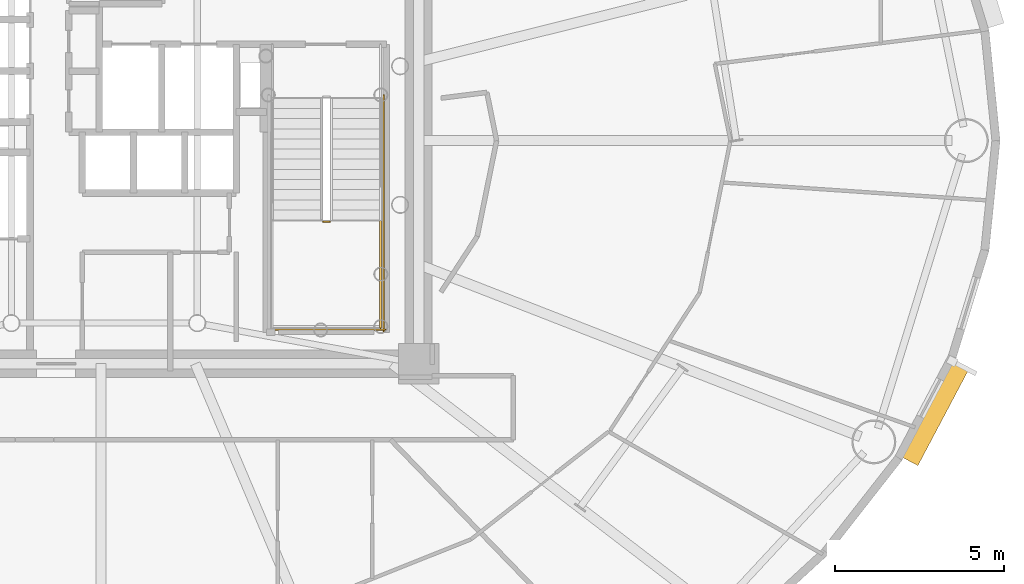
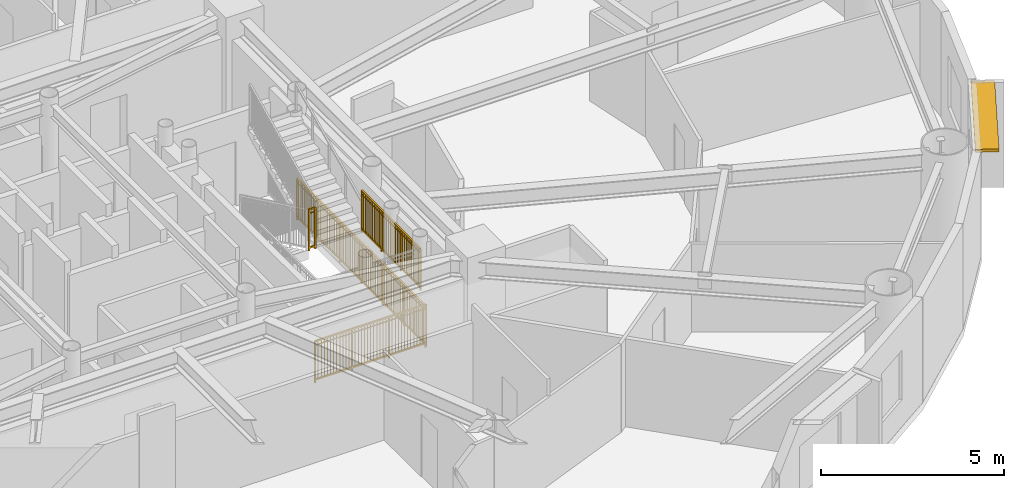
# One storey, part 18 of 19: 4 railings, 1 shading device.
"""IFC4 building model written with IfcOpenShell, lengths in metres."""

from ifc_helpers import new_model, si_unit, direction, frame, origin, origin_2d, place, context, subcontext, project, spatial, rectangle, extrude, source, transform, mapped, material, layer, layer_set, type_object, element, save


model = new_model("IFC4")

# Units and contexts
model_context = context("Model", 3, precision=1e-05, world=origin(), true_north=direction((0.0, 1.0)))
body_context = subcontext(model_context, "Body", "Model", "MODEL_VIEW")
ifc_project = project(units=[si_unit("LENGTHUNIT", "METRE"), si_unit("AREAUNIT", "SQUARE_METRE"), si_unit("VOLUMEUNIT", "CUBIC_METRE"), si_unit("PLANEANGLEUNIT", "RADIAN"), si_unit("MASSUNIT", "GRAM", prefix="KILO")], contexts=[model_context])

# Site, building, storey
site_placement = place(None, origin())
site = spatial("IfcSite", under=ifc_project, at=site_placement, CompositionType="ELEMENT")
building_placement = place(site_placement, origin())
building = spatial("IfcBuilding", under=site, at=building_placement, Name="Linh Dai School and Residence Tower", CompositionType="ELEMENT")
storey_placement = place(building_placement, frame((0.0, 0.0, 193.64990234375)))
storey = spatial("IfcBuildingStorey", under=building, at=storey_placement, Name="L47", CompositionType="ELEMENT", Elevation=193.64990234375)

# Shading device
ifc_material_1 = material(Name="Terracotta Ceramic Sunshade", Category="masonry")
ifc_layer = layer(ifc_material_1, 0.10009765625)
ifc_layer_set = layer_set([ifc_layer], Name="Terracotta Ceramic Sunshade")
shading_device_type = type_object("IfcShadingDeviceType", Name="SHD-TC-650", PredefinedType="USERDEFINED", material=ifc_layer_set)
shared_shape_1 = source(origin(), body_context, "Body", "SweptSolid", [
    extrude(rectangle(XDim=3.257568359375, YDim=0.64990234375, at=origin_2d()), origin(), (0.0, 0.0, 1.0), 0.10009765625),
])
shading_device_placement = place(storey_placement, frame((60.641357421875, 18.97802734375, 3.380126953125), z_axis=(0.0, 0.0, 1.0), x_axis=(-0.467580060884, -0.883950726378, 0.0)))
element("IfcShadingDevice", 1, at=shading_device_placement, inside=storey, type_object=shading_device_type, Name="L47 Terracotta Horizontal Sunshade Band 38", ObjectType="SUNSHADE", PredefinedType="USERDEFINED", context=body_context, shape_type="MappedRepresentation", body=[
    mapped(shared_shape_1, transform((0.0, 0.0, 0.0), x_axis=(1.0, 0.0, 0.0), y_axis=(0.0, 1.0, 0.0), z_axis=(0.0, 0.0, 1.0), scale=1.0)),
])

# Railings
ifc_material_2 = material(Name="Structural Steel S355JR", Category="steel")
railing_type = type_object("IfcRailingType", Name="RL-ST-GUARD-1400", PredefinedType="GUARDRAIL", material=ifc_material_2)
shared_shape_2 = source(origin(), body_context, "Body", "SweptSolid", [
    extrude(rectangle(XDim=0.048095703125, YDim=0.048095703125, at=origin_2d()), frame((0.0, 0.0, 1.3759765625), z_axis=(1.0, 0.0, 0.0), x_axis=(0.0, 1.0, 0.0)), (0.0, 0.0, 1.0), 0.199951171875),
    extrude(rectangle(XDim=0.048095703125, YDim=0.048095703125, at=origin_2d()), frame((0.0, 0.0, 0.10009765625), z_axis=(1.0, 0.0, 0.0), x_axis=(0.0, 1.0, 0.0)), (0.0, 0.0, 1.0), 0.199951171875),
    extrude(rectangle(XDim=0.030029296875, YDim=0.030029296875, at=origin_2d()), frame((0.0, 0.0, 1.239990234375), z_axis=(1.0, 0.0, 0.0), x_axis=(0.0, 1.0, 0.0)), (0.0, 0.0, 1.0), 0.199951171875),
    extrude(rectangle(XDim=0.0419921875, YDim=0.0419921875, at=origin_2d()), origin(), (0.0, 0.0, 1.0), 1.3759765625),
    extrude(rectangle(XDim=0.0419921875, YDim=0.0419921875, at=origin_2d()), frame((0.199951171875, 0.0, 0.0)), (0.0, 0.0, 1.0), 1.3759765625),
])
railing_1_placement = place(storey_placement, frame((42.570068359375, 24.60009765625, 1.875)))
element("IfcRailing", 2, at=railing_1_placement, inside=storey, type_object=railing_type, Name="L47 ST2 stair guard 2", PredefinedType="GUARDRAIL", context=body_context, shape_type="MappedRepresentation", body=[
    mapped(shared_shape_2, transform((0.0, 0.0, 0.0), x_axis=(1.0, 0.0, 0.0), y_axis=(0.0, 1.0, 0.0), z_axis=(0.0, 0.0, 1.0), scale=1.0)),
])
shared_shape_3 = source(origin(), body_context, "Body", "SweptSolid", [
    extrude(rectangle(XDim=0.048095703125, YDim=0.048095703125, at=origin_2d()), frame((0.0, 0.0, 1.3759765625), z_axis=(0.0, -1.0, 0.0), x_axis=(1.0, 0.0, 0.0)), (0.0, 0.0, 1.0), 7.0),
    extrude(rectangle(XDim=0.048095703125, YDim=0.048095703125, at=origin_2d()), frame((0.0, 0.0, 0.10009765625), z_axis=(0.0, -1.0, 0.0), x_axis=(1.0, 0.0, 0.0)), (0.0, 0.0, 1.0), 7.0),
    extrude(rectangle(XDim=0.030029296875, YDim=0.030029296875, at=origin_2d()), frame((0.0, 0.0, 1.239990234375), z_axis=(0.0, -1.0, 0.0), x_axis=(1.0, 0.0, 0.0)), (0.0, 0.0, 1.0), 7.0),
    extrude(rectangle(XDim=0.02001953125, YDim=0.02001953125, at=origin_2d()), frame((0.0, -0.09716796875, 0.10009765625)), (0.0, 0.0, 1.0), 1.251708984375),
    extrude(rectangle(XDim=0.02001953125, YDim=0.02001953125, at=origin_2d()), frame((0.0, -0.1943359375, 0.10009765625)), (0.0, 0.0, 1.0), 1.251708984375),
    extrude(rectangle(XDim=0.02001953125, YDim=0.02001953125, at=origin_2d()), frame((0.0, -0.291748046875, 0.10009765625)), (0.0, 0.0, 1.0), 1.251708984375),
    extrude(rectangle(XDim=0.02001953125, YDim=0.02001953125, at=origin_2d()), frame((0.0, -0.388916015625, 0.10009765625)), (0.0, 0.0, 1.0), 1.251708984375),
    extrude(rectangle(XDim=0.02001953125, YDim=0.02001953125, at=origin_2d()), frame((0.0, -0.486083984375, 0.10009765625)), (0.0, 0.0, 1.0), 1.251708984375),
    extrude(rectangle(XDim=0.02001953125, YDim=0.02001953125, at=origin_2d()), frame((0.0, -0.583251953125, 0.10009765625)), (0.0, 0.0, 1.0), 1.251708984375),
    extrude(rectangle(XDim=0.02001953125, YDim=0.02001953125, at=origin_2d()), frame((0.0, -0.6806640625, 0.10009765625)), (0.0, 0.0, 1.0), 1.251708984375),
    extrude(rectangle(XDim=0.02001953125, YDim=0.02001953125, at=origin_2d()), frame((0.0, -0.77783203125, 0.10009765625)), (0.0, 0.0, 1.0), 1.251708984375),
    extrude(rectangle(XDim=0.02001953125, YDim=0.02001953125, at=origin_2d()), frame((0.0, -0.875, 0.10009765625)), (0.0, 0.0, 1.0), 1.251708984375),
    extrude(rectangle(XDim=0.02001953125, YDim=0.02001953125, at=origin_2d()), frame((0.0, -0.97216796875, 0.10009765625)), (0.0, 0.0, 1.0), 1.251708984375),
    extrude(rectangle(XDim=0.02001953125, YDim=0.02001953125, at=origin_2d()), frame((0.0, -1.0693359375, 0.10009765625)), (0.0, 0.0, 1.0), 1.251708984375),
    extrude(rectangle(XDim=0.02001953125, YDim=0.02001953125, at=origin_2d()), frame((0.0, -1.263916015625, 0.10009765625)), (0.0, 0.0, 1.0), 1.251708984375),
    extrude(rectangle(XDim=0.02001953125, YDim=0.02001953125, at=origin_2d()), frame((0.0, -1.361083984375, 0.10009765625)), (0.0, 0.0, 1.0), 1.251708984375),
    extrude(rectangle(XDim=0.02001953125, YDim=0.02001953125, at=origin_2d()), frame((0.0, -1.458251953125, 0.10009765625)), (0.0, 0.0, 1.0), 1.251708984375),
    extrude(rectangle(XDim=0.02001953125, YDim=0.02001953125, at=origin_2d()), frame((0.0, -1.5556640625, 0.10009765625)), (0.0, 0.0, 1.0), 1.251708984375),
    extrude(rectangle(XDim=0.02001953125, YDim=0.02001953125, at=origin_2d()), frame((0.0, -1.65283203125, 0.10009765625)), (0.0, 0.0, 1.0), 1.251708984375),
    extrude(rectangle(XDim=0.02001953125, YDim=0.02001953125, at=origin_2d()), frame((0.0, -1.75, 0.10009765625)), (0.0, 0.0, 1.0), 1.251708984375),
    extrude(rectangle(XDim=0.02001953125, YDim=0.02001953125, at=origin_2d()), frame((0.0, -1.84716796875, 0.10009765625)), (0.0, 0.0, 1.0), 1.251708984375),
    extrude(rectangle(XDim=0.02001953125, YDim=0.02001953125, at=origin_2d()), frame((0.0, -1.9443359375, 0.10009765625)), (0.0, 0.0, 1.0), 1.251708984375),
    extrude(rectangle(XDim=0.02001953125, YDim=0.02001953125, at=origin_2d()), frame((0.0, -2.041748046875, 0.10009765625)), (0.0, 0.0, 1.0), 1.251708984375),
    extrude(rectangle(XDim=0.02001953125, YDim=0.02001953125, at=origin_2d()), frame((0.0, -2.138916015625, 0.10009765625)), (0.0, 0.0, 1.0), 1.251708984375),
    extrude(rectangle(XDim=0.02001953125, YDim=0.02001953125, at=origin_2d()), frame((0.0, -2.236083984375, 0.10009765625)), (0.0, 0.0, 1.0), 1.251708984375),
    extrude(rectangle(XDim=0.02001953125, YDim=0.02001953125, at=origin_2d()), frame((0.0, -2.4306640625, 0.10009765625)), (0.0, 0.0, 1.0), 1.251708984375),
    extrude(rectangle(XDim=0.02001953125, YDim=0.02001953125, at=origin_2d()), frame((0.0, -2.52783203125, 0.10009765625)), (0.0, 0.0, 1.0), 1.251708984375),
    extrude(rectangle(XDim=0.02001953125, YDim=0.02001953125, at=origin_2d()), frame((0.0, -2.625, 0.10009765625)), (0.0, 0.0, 1.0), 1.251708984375),
    extrude(rectangle(XDim=0.02001953125, YDim=0.02001953125, at=origin_2d()), frame((0.0, -2.72216796875, 0.10009765625)), (0.0, 0.0, 1.0), 1.251708984375),
    extrude(rectangle(XDim=0.02001953125, YDim=0.02001953125, at=origin_2d()), frame((0.0, -2.8193359375, 0.10009765625)), (0.0, 0.0, 1.0), 1.251708984375),
    extrude(rectangle(XDim=0.02001953125, YDim=0.02001953125, at=origin_2d()), frame((0.0, -2.916748046875, 0.10009765625)), (0.0, 0.0, 1.0), 1.251708984375),
    extrude(rectangle(XDim=0.02001953125, YDim=0.02001953125, at=origin_2d()), frame((0.0, -3.013916015625, 0.10009765625)), (0.0, 0.0, 1.0), 1.251708984375),
    extrude(rectangle(XDim=0.02001953125, YDim=0.02001953125, at=origin_2d()), frame((0.0, -3.111083984375, 0.10009765625)), (0.0, 0.0, 1.0), 1.251708984375),
    extrude(rectangle(XDim=0.02001953125, YDim=0.02001953125, at=origin_2d()), frame((0.0, -3.208251953125, 0.10009765625)), (0.0, 0.0, 1.0), 1.251708984375),
    extrude(rectangle(XDim=0.02001953125, YDim=0.02001953125, at=origin_2d()), frame((0.0, -3.3056640625, 0.10009765625)), (0.0, 0.0, 1.0), 1.251708984375),
    extrude(rectangle(XDim=0.02001953125, YDim=0.02001953125, at=origin_2d()), frame((0.0, -3.40283203125, 0.10009765625)), (0.0, 0.0, 1.0), 1.251708984375),
    extrude(rectangle(XDim=0.02001953125, YDim=0.02001953125, at=origin_2d()), frame((0.0, -3.59716796875, 0.10009765625)), (0.0, 0.0, 1.0), 1.251708984375),
    extrude(rectangle(XDim=0.02001953125, YDim=0.02001953125, at=origin_2d()), frame((0.0, -3.6943359375, 0.10009765625)), (0.0, 0.0, 1.0), 1.251708984375),
    extrude(rectangle(XDim=0.02001953125, YDim=0.02001953125, at=origin_2d()), frame((0.0, -3.791748046875, 0.10009765625)), (0.0, 0.0, 1.0), 1.251708984375),
    extrude(rectangle(XDim=0.02001953125, YDim=0.02001953125, at=origin_2d()), frame((0.0, -3.888916015625, 0.10009765625)), (0.0, 0.0, 1.0), 1.251708984375),
    extrude(rectangle(XDim=0.02001953125, YDim=0.02001953125, at=origin_2d()), frame((0.0, -3.986083984375, 0.10009765625)), (0.0, 0.0, 1.0), 1.251708984375),
    extrude(rectangle(XDim=0.02001953125, YDim=0.02001953125, at=origin_2d()), frame((0.0, -4.083251953125, 0.10009765625)), (0.0, 0.0, 1.0), 1.251708984375),
    extrude(rectangle(XDim=0.02001953125, YDim=0.02001953125, at=origin_2d()), frame((0.0, -4.1806640625, 0.10009765625)), (0.0, 0.0, 1.0), 1.251708984375),
    extrude(rectangle(XDim=0.02001953125, YDim=0.02001953125, at=origin_2d()), frame((0.0, -4.27783203125, 0.10009765625)), (0.0, 0.0, 1.0), 1.251708984375),
    extrude(rectangle(XDim=0.02001953125, YDim=0.02001953125, at=origin_2d()), frame((0.0, -4.375, 0.10009765625)), (0.0, 0.0, 1.0), 1.251708984375),
    extrude(rectangle(XDim=0.02001953125, YDim=0.02001953125, at=origin_2d()), frame((0.0, -4.47216796875, 0.10009765625)), (0.0, 0.0, 1.0), 1.251708984375),
    extrude(rectangle(XDim=0.02001953125, YDim=0.02001953125, at=origin_2d()), frame((0.0, -4.5693359375, 0.10009765625)), (0.0, 0.0, 1.0), 1.251708984375),
    extrude(rectangle(XDim=0.02001953125, YDim=0.02001953125, at=origin_2d()), frame((0.0, -4.763916015625, 0.10009765625)), (0.0, 0.0, 1.0), 1.251708984375),
    extrude(rectangle(XDim=0.02001953125, YDim=0.02001953125, at=origin_2d()), frame((0.0, -4.861083984375, 0.10009765625)), (0.0, 0.0, 1.0), 1.251708984375),
    extrude(rectangle(XDim=0.02001953125, YDim=0.02001953125, at=origin_2d()), frame((0.0, -4.958251953125, 0.10009765625)), (0.0, 0.0, 1.0), 1.251708984375),
    extrude(rectangle(XDim=0.02001953125, YDim=0.02001953125, at=origin_2d()), frame((0.0, -5.0556640625, 0.10009765625)), (0.0, 0.0, 1.0), 1.251708984375),
    extrude(rectangle(XDim=0.02001953125, YDim=0.02001953125, at=origin_2d()), frame((0.0, -5.15283203125, 0.10009765625)), (0.0, 0.0, 1.0), 1.251708984375),
    extrude(rectangle(XDim=0.02001953125, YDim=0.02001953125, at=origin_2d()), frame((0.0, -5.25, 0.10009765625)), (0.0, 0.0, 1.0), 1.251708984375),
    extrude(rectangle(XDim=0.02001953125, YDim=0.02001953125, at=origin_2d()), frame((0.0, -5.34716796875, 0.10009765625)), (0.0, 0.0, 1.0), 1.251708984375),
    extrude(rectangle(XDim=0.02001953125, YDim=0.02001953125, at=origin_2d()), frame((0.0, -5.4443359375, 0.10009765625)), (0.0, 0.0, 1.0), 1.251708984375),
    extrude(rectangle(XDim=0.02001953125, YDim=0.02001953125, at=origin_2d()), frame((0.0, -5.541748046875, 0.10009765625)), (0.0, 0.0, 1.0), 1.251708984375),
    extrude(rectangle(XDim=0.02001953125, YDim=0.02001953125, at=origin_2d()), frame((0.0, -5.638916015625, 0.10009765625)), (0.0, 0.0, 1.0), 1.251708984375),
    extrude(rectangle(XDim=0.02001953125, YDim=0.02001953125, at=origin_2d()), frame((0.0, -5.736083984375, 0.10009765625)), (0.0, 0.0, 1.0), 1.251708984375),
    extrude(rectangle(XDim=0.02001953125, YDim=0.02001953125, at=origin_2d()), frame((0.0, -5.9306640625, 0.10009765625)), (0.0, 0.0, 1.0), 1.251708984375),
    extrude(rectangle(XDim=0.02001953125, YDim=0.02001953125, at=origin_2d()), frame((0.0, -6.02783203125, 0.10009765625)), (0.0, 0.0, 1.0), 1.251708984375),
    extrude(rectangle(XDim=0.02001953125, YDim=0.02001953125, at=origin_2d()), frame((0.0, -6.125, 0.10009765625)), (0.0, 0.0, 1.0), 1.251708984375),
    extrude(rectangle(XDim=0.02001953125, YDim=0.02001953125, at=origin_2d()), frame((0.0, -6.22216796875, 0.10009765625)), (0.0, 0.0, 1.0), 1.251708984375),
    extrude(rectangle(XDim=0.02001953125, YDim=0.02001953125, at=origin_2d()), frame((0.0, -6.3193359375, 0.10009765625)), (0.0, 0.0, 1.0), 1.251708984375),
    extrude(rectangle(XDim=0.02001953125, YDim=0.02001953125, at=origin_2d()), frame((0.0, -6.416748046875, 0.10009765625)), (0.0, 0.0, 1.0), 1.251708984375),
    extrude(rectangle(XDim=0.02001953125, YDim=0.02001953125, at=origin_2d()), frame((0.0, -6.513916015625, 0.10009765625)), (0.0, 0.0, 1.0), 1.251708984375),
    extrude(rectangle(XDim=0.02001953125, YDim=0.02001953125, at=origin_2d()), frame((0.0, -6.611083984375, 0.10009765625)), (0.0, 0.0, 1.0), 1.251708984375),
    extrude(rectangle(XDim=0.02001953125, YDim=0.02001953125, at=origin_2d()), frame((0.0, -6.708251953125, 0.10009765625)), (0.0, 0.0, 1.0), 1.251708984375),
    extrude(rectangle(XDim=0.02001953125, YDim=0.02001953125, at=origin_2d()), frame((0.0, -6.8056640625, 0.10009765625)), (0.0, 0.0, 1.0), 1.251708984375),
    extrude(rectangle(XDim=0.02001953125, YDim=0.02001953125, at=origin_2d()), frame((0.0, -6.90283203125, 0.10009765625)), (0.0, 0.0, 1.0), 1.251708984375),
    extrude(rectangle(XDim=0.0419921875, YDim=0.0419921875, at=origin_2d()), origin(), (0.0, 0.0, 1.0), 1.3759765625),
    extrude(rectangle(XDim=0.0419921875, YDim=0.0419921875, at=origin_2d()), frame((0.0, -1.166748046875, 0.0)), (0.0, 0.0, 1.0), 1.3759765625),
    extrude(rectangle(XDim=0.0419921875, YDim=0.0419921875, at=origin_2d()), frame((0.0, -2.333251953125, 0.0)), (0.0, 0.0, 1.0), 1.3759765625),
    extrude(rectangle(XDim=0.0419921875, YDim=0.0419921875, at=origin_2d()), frame((0.0, -3.5, 0.0)), (0.0, 0.0, 1.0), 1.3759765625),
    extrude(rectangle(XDim=0.0419921875, YDim=0.0419921875, at=origin_2d()), frame((0.0, -4.666748046875, 0.0)), (0.0, 0.0, 1.0), 1.3759765625),
    extrude(rectangle(XDim=0.0419921875, YDim=0.0419921875, at=origin_2d()), frame((0.0, -5.833251953125, 0.0)), (0.0, 0.0, 1.0), 1.3759765625),
    extrude(rectangle(XDim=0.0419921875, YDim=0.0419921875, at=origin_2d()), frame((0.0, -7.0, 0.0)), (0.0, 0.0, 1.0), 1.3759765625),
])
railing_2_placement = place(storey_placement, frame((44.3701171875, 28.35009765625, 0.0)))
element("IfcRailing", 3, at=railing_2_placement, inside=storey, type_object=railing_type, Name="L47 ST2 stair guard 11", PredefinedType="GUARDRAIL", context=body_context, shape_type="MappedRepresentation", body=[
    mapped(shared_shape_3, transform((0.0, 0.0, 0.0), x_axis=(1.0, 0.0, 0.0), y_axis=(0.0, 1.0, 0.0), z_axis=(0.0, 0.0, 1.0), scale=1.0)),
])
shared_shape_4 = source(origin(), body_context, "Body", "SweptSolid", [
    extrude(rectangle(XDim=0.048095703125, YDim=0.048095703125, at=origin_2d()), frame((0.0, 0.0, 1.3759765625), z_axis=(1.0, 0.0, 0.0), x_axis=(0.0, 1.0, 0.0)), (0.0, 0.0, 1.0), 3.5),
    extrude(rectangle(XDim=0.048095703125, YDim=0.048095703125, at=origin_2d()), frame((0.0, 0.0, 0.10009765625), z_axis=(1.0, 0.0, 0.0), x_axis=(0.0, 1.0, 0.0)), (0.0, 0.0, 1.0), 3.5),
    extrude(rectangle(XDim=0.030029296875, YDim=0.030029296875, at=origin_2d()), frame((0.0, 0.0, 1.239990234375), z_axis=(1.0, 0.0, 0.0), x_axis=(0.0, 1.0, 0.0)), (0.0, 0.0, 1.0), 3.5),
    extrude(rectangle(XDim=0.02001953125, YDim=0.02001953125, at=origin_2d()), frame((0.09716796875, 0.0, 0.10009765625)), (0.0, 0.0, 1.0), 1.251708984375),
    extrude(rectangle(XDim=0.02001953125, YDim=0.02001953125, at=origin_2d()), frame((0.1943359375, 0.0, 0.10009765625)), (0.0, 0.0, 1.0), 1.251708984375),
    extrude(rectangle(XDim=0.02001953125, YDim=0.02001953125, at=origin_2d()), frame((0.291748046875, 0.0, 0.10009765625)), (0.0, 0.0, 1.0), 1.251708984375),
    extrude(rectangle(XDim=0.02001953125, YDim=0.02001953125, at=origin_2d()), frame((0.388916015625, 0.0, 0.10009765625)), (0.0, 0.0, 1.0), 1.251708984375),
    extrude(rectangle(XDim=0.02001953125, YDim=0.02001953125, at=origin_2d()), frame((0.486083984375, 0.0, 0.10009765625)), (0.0, 0.0, 1.0), 1.251708984375),
    extrude(rectangle(XDim=0.02001953125, YDim=0.02001953125, at=origin_2d()), frame((0.583251953125, 0.0, 0.10009765625)), (0.0, 0.0, 1.0), 1.251708984375),
    extrude(rectangle(XDim=0.02001953125, YDim=0.02001953125, at=origin_2d()), frame((0.6806640625, 0.0, 0.10009765625)), (0.0, 0.0, 1.0), 1.251708984375),
    extrude(rectangle(XDim=0.02001953125, YDim=0.02001953125, at=origin_2d()), frame((0.77783203125, 0.0, 0.10009765625)), (0.0, 0.0, 1.0), 1.251708984375),
    extrude(rectangle(XDim=0.02001953125, YDim=0.02001953125, at=origin_2d()), frame((0.875, 0.0, 0.10009765625)), (0.0, 0.0, 1.0), 1.251708984375),
    extrude(rectangle(XDim=0.02001953125, YDim=0.02001953125, at=origin_2d()), frame((0.97216796875, 0.0, 0.10009765625)), (0.0, 0.0, 1.0), 1.251708984375),
    extrude(rectangle(XDim=0.02001953125, YDim=0.02001953125, at=origin_2d()), frame((1.0693359375, 0.0, 0.10009765625)), (0.0, 0.0, 1.0), 1.251708984375),
    extrude(rectangle(XDim=0.02001953125, YDim=0.02001953125, at=origin_2d()), frame((1.263916015625, 0.0, 0.10009765625)), (0.0, 0.0, 1.0), 1.251708984375),
    extrude(rectangle(XDim=0.02001953125, YDim=0.02001953125, at=origin_2d()), frame((1.361083984375, 0.0, 0.10009765625)), (0.0, 0.0, 1.0), 1.251708984375),
    extrude(rectangle(XDim=0.02001953125, YDim=0.02001953125, at=origin_2d()), frame((1.458251953125, 0.0, 0.10009765625)), (0.0, 0.0, 1.0), 1.251708984375),
    extrude(rectangle(XDim=0.02001953125, YDim=0.02001953125, at=origin_2d()), frame((1.5556640625, 0.0, 0.10009765625)), (0.0, 0.0, 1.0), 1.251708984375),
    extrude(rectangle(XDim=0.02001953125, YDim=0.02001953125, at=origin_2d()), frame((1.65283203125, 0.0, 0.10009765625)), (0.0, 0.0, 1.0), 1.251708984375),
    extrude(rectangle(XDim=0.02001953125, YDim=0.02001953125, at=origin_2d()), frame((1.75, 0.0, 0.10009765625)), (0.0, 0.0, 1.0), 1.251708984375),
    extrude(rectangle(XDim=0.02001953125, YDim=0.02001953125, at=origin_2d()), frame((1.84716796875, 0.0, 0.10009765625)), (0.0, 0.0, 1.0), 1.251708984375),
    extrude(rectangle(XDim=0.02001953125, YDim=0.02001953125, at=origin_2d()), frame((1.9443359375, 0.0, 0.10009765625)), (0.0, 0.0, 1.0), 1.251708984375),
    extrude(rectangle(XDim=0.02001953125, YDim=0.02001953125, at=origin_2d()), frame((2.041748046875, 0.0, 0.10009765625)), (0.0, 0.0, 1.0), 1.251708984375),
    extrude(rectangle(XDim=0.02001953125, YDim=0.02001953125, at=origin_2d()), frame((2.138916015625, 0.0, 0.10009765625)), (0.0, 0.0, 1.0), 1.251708984375),
    extrude(rectangle(XDim=0.02001953125, YDim=0.02001953125, at=origin_2d()), frame((2.236083984375, 0.0, 0.10009765625)), (0.0, 0.0, 1.0), 1.251708984375),
    extrude(rectangle(XDim=0.02001953125, YDim=0.02001953125, at=origin_2d()), frame((2.4306640625, 0.0, 0.10009765625)), (0.0, 0.0, 1.0), 1.251708984375),
    extrude(rectangle(XDim=0.02001953125, YDim=0.02001953125, at=origin_2d()), frame((2.52783203125, 0.0, 0.10009765625)), (0.0, 0.0, 1.0), 1.251708984375),
    extrude(rectangle(XDim=0.02001953125, YDim=0.02001953125, at=origin_2d()), frame((2.625, 0.0, 0.10009765625)), (0.0, 0.0, 1.0), 1.251708984375),
    extrude(rectangle(XDim=0.02001953125, YDim=0.02001953125, at=origin_2d()), frame((2.72216796875, 0.0, 0.10009765625)), (0.0, 0.0, 1.0), 1.251708984375),
    extrude(rectangle(XDim=0.02001953125, YDim=0.02001953125, at=origin_2d()), frame((2.8193359375, 0.0, 0.10009765625)), (0.0, 0.0, 1.0), 1.251708984375),
    extrude(rectangle(XDim=0.02001953125, YDim=0.02001953125, at=origin_2d()), frame((2.916748046875, 0.0, 0.10009765625)), (0.0, 0.0, 1.0), 1.251708984375),
    extrude(rectangle(XDim=0.02001953125, YDim=0.02001953125, at=origin_2d()), frame((3.013916015625, 0.0, 0.10009765625)), (0.0, 0.0, 1.0), 1.251708984375),
    extrude(rectangle(XDim=0.02001953125, YDim=0.02001953125, at=origin_2d()), frame((3.111083984375, 0.0, 0.10009765625)), (0.0, 0.0, 1.0), 1.251708984375),
    extrude(rectangle(XDim=0.02001953125, YDim=0.02001953125, at=origin_2d()), frame((3.208251953125, 0.0, 0.10009765625)), (0.0, 0.0, 1.0), 1.251708984375),
    extrude(rectangle(XDim=0.02001953125, YDim=0.02001953125, at=origin_2d()), frame((3.3056640625, 0.0, 0.10009765625)), (0.0, 0.0, 1.0), 1.251708984375),
    extrude(rectangle(XDim=0.02001953125, YDim=0.02001953125, at=origin_2d()), frame((3.40283203125, 0.0, 0.10009765625)), (0.0, 0.0, 1.0), 1.251708984375),
    extrude(rectangle(XDim=0.0419921875, YDim=0.0419921875, at=origin_2d()), origin(), (0.0, 0.0, 1.0), 1.3759765625),
    extrude(rectangle(XDim=0.0419921875, YDim=0.0419921875, at=origin_2d()), frame((1.166748046875, 0.0, 0.0)), (0.0, 0.0, 1.0), 1.3759765625),
    extrude(rectangle(XDim=0.0419921875, YDim=0.0419921875, at=origin_2d()), frame((2.333251953125, 0.0, 0.0)), (0.0, 0.0, 1.0), 1.3759765625),
    extrude(rectangle(XDim=0.0419921875, YDim=0.0419921875, at=origin_2d()), frame((3.5, 0.0, 0.0)), (0.0, 0.0, 1.0), 1.3759765625),
])
railing_3_placement = place(storey_placement, frame((40.919921875, 21.39990234375, 0.0)))
element("IfcRailing", 4, at=railing_3_placement, inside=storey, type_object=railing_type, Name="L47 ST2 stair guard 12", PredefinedType="GUARDRAIL", context=body_context, shape_type="MappedRepresentation", body=[
    mapped(shared_shape_4, transform((0.0, 0.0, 0.0), x_axis=(1.0, 0.0, 0.0), y_axis=(0.0, 1.0, 0.0), z_axis=(0.0, 0.0, 1.0), scale=1.0)),
])
shared_shape_5 = source(origin(), body_context, "Body", "SweptSolid", [
    extrude(rectangle(XDim=0.048095703125, YDim=0.048095703125, at=origin_2d()), frame((0.0, 0.0, 1.3759765625), z_axis=(0.0, -1.0, 0.0), x_axis=(1.0, 0.0, 0.0)), (0.0, 0.0, 1.0), 3.199951171875),
    extrude(rectangle(XDim=0.048095703125, YDim=0.048095703125, at=origin_2d()), frame((0.0, 0.0, 0.10009765625), z_axis=(0.0, -1.0, 0.0), x_axis=(1.0, 0.0, 0.0)), (0.0, 0.0, 1.0), 3.199951171875),
    extrude(rectangle(XDim=0.030029296875, YDim=0.030029296875, at=origin_2d()), frame((0.0, 0.0, 1.239990234375), z_axis=(0.0, -1.0, 0.0), x_axis=(1.0, 0.0, 0.0)), (0.0, 0.0, 1.0), 3.199951171875),
    extrude(rectangle(XDim=0.02001953125, YDim=0.02001953125, at=origin_2d()), frame((0.0, -0.096923828125, 0.10009765625)), (0.0, 0.0, 1.0), 1.251708984375),
    extrude(rectangle(XDim=0.02001953125, YDim=0.02001953125, at=origin_2d()), frame((0.0, -0.19384765625, 0.10009765625)), (0.0, 0.0, 1.0), 1.251708984375),
    extrude(rectangle(XDim=0.02001953125, YDim=0.02001953125, at=origin_2d()), frame((0.0, -0.291015625, 0.10009765625)), (0.0, 0.0, 1.0), 1.251708984375),
    extrude(rectangle(XDim=0.02001953125, YDim=0.02001953125, at=origin_2d()), frame((0.0, -0.387939453125, 0.10009765625)), (0.0, 0.0, 1.0), 1.251708984375),
    extrude(rectangle(XDim=0.02001953125, YDim=0.02001953125, at=origin_2d()), frame((0.0, -0.48486328125, 0.10009765625)), (0.0, 0.0, 1.0), 1.251708984375),
    extrude(rectangle(XDim=0.02001953125, YDim=0.02001953125, at=origin_2d()), frame((0.0, -0.581787109375, 0.10009765625)), (0.0, 0.0, 1.0), 1.251708984375),
    extrude(rectangle(XDim=0.02001953125, YDim=0.02001953125, at=origin_2d()), frame((0.0, -0.6787109375, 0.10009765625)), (0.0, 0.0, 1.0), 1.251708984375),
    extrude(rectangle(XDim=0.02001953125, YDim=0.02001953125, at=origin_2d()), frame((0.0, -0.775634765625, 0.10009765625)), (0.0, 0.0, 1.0), 1.251708984375),
    extrude(rectangle(XDim=0.02001953125, YDim=0.02001953125, at=origin_2d()), frame((0.0, -0.872802734375, 0.10009765625)), (0.0, 0.0, 1.0), 1.251708984375),
    extrude(rectangle(XDim=0.02001953125, YDim=0.02001953125, at=origin_2d()), frame((0.0, -0.9697265625, 0.10009765625)), (0.0, 0.0, 1.0), 1.251708984375),
    extrude(rectangle(XDim=0.02001953125, YDim=0.02001953125, at=origin_2d()), frame((0.0, -1.16357421875, 0.10009765625)), (0.0, 0.0, 1.0), 1.251708984375),
    extrude(rectangle(XDim=0.02001953125, YDim=0.02001953125, at=origin_2d()), frame((0.0, -1.260498046875, 0.10009765625)), (0.0, 0.0, 1.0), 1.251708984375),
    extrude(rectangle(XDim=0.02001953125, YDim=0.02001953125, at=origin_2d()), frame((0.0, -1.357666015625, 0.10009765625)), (0.0, 0.0, 1.0), 1.251708984375),
    extrude(rectangle(XDim=0.02001953125, YDim=0.02001953125, at=origin_2d()), frame((0.0, -1.45458984375, 0.10009765625)), (0.0, 0.0, 1.0), 1.251708984375),
    extrude(rectangle(XDim=0.02001953125, YDim=0.02001953125, at=origin_2d()), frame((0.0, -1.551513671875, 0.10009765625)), (0.0, 0.0, 1.0), 1.251708984375),
    extrude(rectangle(XDim=0.02001953125, YDim=0.02001953125, at=origin_2d()), frame((0.0, -1.6484375, 0.10009765625)), (0.0, 0.0, 1.0), 1.251708984375),
    extrude(rectangle(XDim=0.02001953125, YDim=0.02001953125, at=origin_2d()), frame((0.0, -1.745361328125, 0.10009765625)), (0.0, 0.0, 1.0), 1.251708984375),
    extrude(rectangle(XDim=0.02001953125, YDim=0.02001953125, at=origin_2d()), frame((0.0, -1.84228515625, 0.10009765625)), (0.0, 0.0, 1.0), 1.251708984375),
    extrude(rectangle(XDim=0.02001953125, YDim=0.02001953125, at=origin_2d()), frame((0.0, -1.939453125, 0.10009765625)), (0.0, 0.0, 1.0), 1.251708984375),
    extrude(rectangle(XDim=0.02001953125, YDim=0.02001953125, at=origin_2d()), frame((0.0, -2.036376953125, 0.10009765625)), (0.0, 0.0, 1.0), 1.251708984375),
    extrude(rectangle(XDim=0.02001953125, YDim=0.02001953125, at=origin_2d()), frame((0.0, -2.230224609375, 0.10009765625)), (0.0, 0.0, 1.0), 1.251708984375),
    extrude(rectangle(XDim=0.02001953125, YDim=0.02001953125, at=origin_2d()), frame((0.0, -2.3271484375, 0.10009765625)), (0.0, 0.0, 1.0), 1.251708984375),
    extrude(rectangle(XDim=0.02001953125, YDim=0.02001953125, at=origin_2d()), frame((0.0, -2.42431640625, 0.10009765625)), (0.0, 0.0, 1.0), 1.251708984375),
    extrude(rectangle(XDim=0.02001953125, YDim=0.02001953125, at=origin_2d()), frame((0.0, -2.521240234375, 0.10009765625)), (0.0, 0.0, 1.0), 1.251708984375),
    extrude(rectangle(XDim=0.02001953125, YDim=0.02001953125, at=origin_2d()), frame((0.0, -2.6181640625, 0.10009765625)), (0.0, 0.0, 1.0), 1.251708984375),
    extrude(rectangle(XDim=0.02001953125, YDim=0.02001953125, at=origin_2d()), frame((0.0, -2.715087890625, 0.10009765625)), (0.0, 0.0, 1.0), 1.251708984375),
    extrude(rectangle(XDim=0.02001953125, YDim=0.02001953125, at=origin_2d()), frame((0.0, -2.81201171875, 0.10009765625)), (0.0, 0.0, 1.0), 1.251708984375),
    extrude(rectangle(XDim=0.02001953125, YDim=0.02001953125, at=origin_2d()), frame((0.0, -2.908935546875, 0.10009765625)), (0.0, 0.0, 1.0), 1.251708984375),
    extrude(rectangle(XDim=0.02001953125, YDim=0.02001953125, at=origin_2d()), frame((0.0, -3.006103515625, 0.10009765625)), (0.0, 0.0, 1.0), 1.251708984375),
    extrude(rectangle(XDim=0.02001953125, YDim=0.02001953125, at=origin_2d()), frame((0.0, -3.10302734375, 0.10009765625)), (0.0, 0.0, 1.0), 1.251708984375),
    extrude(rectangle(XDim=0.0419921875, YDim=0.0419921875, at=origin_2d()), origin(), (0.0, 0.0, 1.0), 1.3759765625),
    extrude(rectangle(XDim=0.0419921875, YDim=0.0419921875, at=origin_2d()), frame((0.0, -1.066650390625, 0.0)), (0.0, 0.0, 1.0), 1.3759765625),
    extrude(rectangle(XDim=0.0419921875, YDim=0.0419921875, at=origin_2d()), frame((0.0, -2.13330078125, 0.0)), (0.0, 0.0, 1.0), 1.3759765625),
    extrude(rectangle(XDim=0.0419921875, YDim=0.0419921875, at=origin_2d()), frame((0.0, -3.199951171875, 0.0)), (0.0, 0.0, 1.0), 1.3759765625),
])
railing_4_placement = place(storey_placement, frame((44.27001953125, 24.64990234375, 1.875)))
element("IfcRailing", 5, at=railing_4_placement, inside=storey, type_object=railing_type, Name="L47 ST2 stair guard 4", PredefinedType="GUARDRAIL", context=body_context, shape_type="MappedRepresentation", body=[
    mapped(shared_shape_5, transform((0.0, 0.0, 0.0), x_axis=(1.0, 0.0, 0.0), y_axis=(0.0, 1.0, 0.0), z_axis=(0.0, 0.0, 1.0), scale=1.0)),
])

save(model, "model.ifc")
